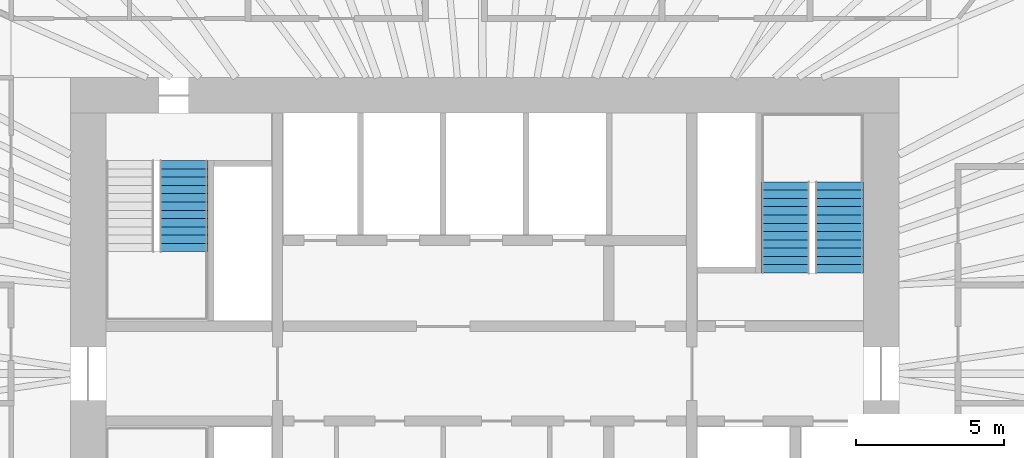
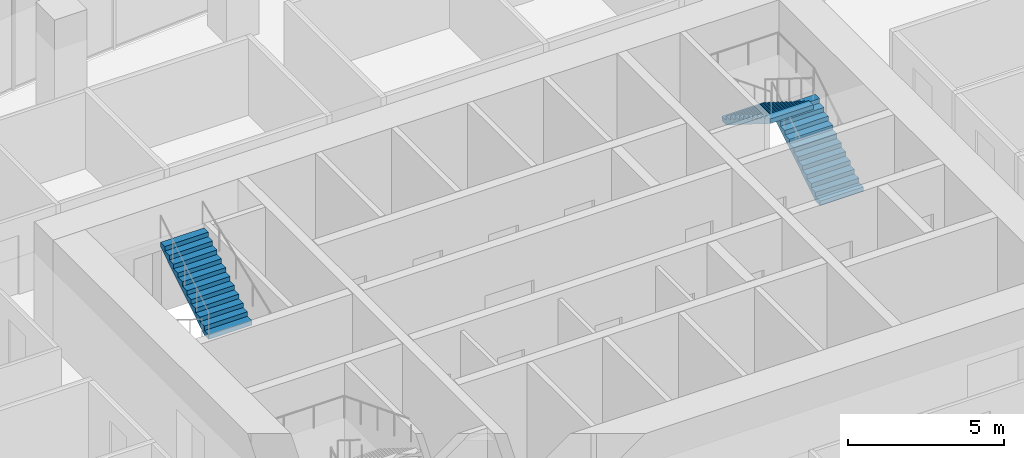
# One storey, part 11 of 12: 3 stair flights, 2 elements without a shape of their own.
"""IFC4 building model written with IfcOpenShell, lengths in metres."""

from ifc_helpers import new_model, si_unit, direction, frame, origin, place, context, subcontext, project, spatial, polyline, outline, extrude, material, type_object, element, aggregate, save


model = new_model("IFC4")

# Units and contexts
model_context = context("Model", 3, precision=1e-05, world=origin(), true_north=direction((0.0, 1.0)))
body_context = subcontext(model_context, "Body", "Model", "MODEL_VIEW")
ifc_project = project(units=[si_unit("LENGTHUNIT", "METRE"), si_unit("AREAUNIT", "SQUARE_METRE"), si_unit("VOLUMEUNIT", "CUBIC_METRE"), si_unit("PLANEANGLEUNIT", "RADIAN"), si_unit("MASSUNIT", "GRAM", prefix="KILO")], contexts=[model_context])

# Site, building, storey
site_placement = place(None, origin())
site = spatial("IfcSite", under=ifc_project, at=site_placement, CompositionType="ELEMENT")
building_placement = place(site_placement, origin())
building = spatial("IfcBuilding", under=site, at=building_placement, Name="Ghaith Harvest Tower", CompositionType="ELEMENT")
storey_placement = place(building_placement, frame((0.0, 0.0, 236.800048828125)))
storey = spatial("IfcBuildingStorey", under=building, at=storey_placement, Name="L52", CompositionType="ELEMENT", Elevation=236.800048828125)

# Stair, stair flight
ifc_material_1 = material(Name="Concrete C40/50, precast", Category="concrete")
stair_type = type_object("IfcStairType", Name="CORE STAIR 24R", PredefinedType="HALF_TURN_STAIR", material=ifc_material_1)
stair_1_placement = place(storey_placement, origin())
stair_1 = element("IfcStair", 1, at=stair_1_placement, inside=storey, type_object=stair_type, Name="Stair ST1 L52", PredefinedType="HALF_TURN_STAIR")
ifc_material_2 = material(Name="Concrete C40/50, precast", Category="concrete")
stair_flight_type = type_object("IfcStairFlightType", Name="CORE FLIGHT 12R 1600", PredefinedType="STRAIGHT", material=ifc_material_2)
stair_flight_1_placement = place(storey_placement, frame((-10.14990234375, 4.1201171875, 2.099853515625), z_axis=(0.0, 0.0, 1.0), x_axis=(0.0, 1.0, 0.0)))
stair_flight_1 = element("IfcStairFlight", 2, at=stair_flight_1_placement, type_object=stair_flight_type, Name="ST1 flight 2", NumberOfRisers=12, NumberOfTreads=11, PredefinedType="STRAIGHT", RiserHeight=0.175, TreadLength=0.28, context=body_context, shape_type="SweptSolid", body=[
    extrude(outline(polyline([(0.0, 0.0), (0.0, 0.175048828125), (0.280029296875, 0.175048828125), (0.280029296875, 0.35009765625), (0.56005859375, 0.35009765625), (0.56005859375, 0.52490234375), (0.840087890625, 0.52490234375), (0.840087890625, 0.699951171875), (1.1201171875, 0.699951171875), (1.1201171875, 0.875), (1.39990234375, 0.875), (1.39990234375, 1.050048828125), (1.679931640625, 1.050048828125), (1.679931640625, 1.22509765625), (1.9599609375, 1.22509765625), (1.9599609375, 1.39990234375), (2.239990234375, 1.39990234375), (2.239990234375, 1.574951171875), (2.52001953125, 1.574951171875), (2.52001953125, 1.75), (2.800048828125, 1.75), (2.800048828125, 1.925048828125), (3.080078125, 1.925048828125), (3.080078125, 2.10009765625), (3.080078125, 1.748291015625), (0.28271484375, 0.0), (0.0, 0.0)])), frame((0.0, 0.800048828125, 0.0), z_axis=(0.0, -1.0, 0.0), x_axis=(1.0, 0.0, 0.0)), (0.0, 0.0, 1.0), 1.60009765625),
])
aggregate(stair_1, [stair_flight_1])

# Stair, stair flights
stair_2_placement = place(storey_placement, origin())
stair_2 = element("IfcStair", 3, at=stair_2_placement, inside=storey, type_object=stair_type, Name="Stair ST2 L52", PredefinedType="HALF_TURN_STAIR")
stair_flight_2_placement = place(storey_placement, frame((12.0, 3.39990234375, 0.0), z_axis=(0.0, 0.0, 1.0), x_axis=(0.0, 1.0, 0.0)))
stair_flight_2 = element("IfcStairFlight", 4, at=stair_flight_2_placement, type_object=stair_flight_type, Name="ST2 flight 1", NumberOfRisers=12, NumberOfTreads=11, PredefinedType="STRAIGHT", RiserHeight=0.175, TreadLength=0.28, context=body_context, shape_type="SweptSolid", body=[
    extrude(outline(polyline([(0.0, 0.0), (0.0, 0.175048828125), (0.280029296875, 0.175048828125), (0.280029296875, 0.35009765625), (0.56005859375, 0.35009765625), (0.56005859375, 0.52490234375), (0.840087890625, 0.52490234375), (0.840087890625, 0.699951171875), (1.1201171875, 0.699951171875), (1.1201171875, 0.875), (1.39990234375, 0.875), (1.39990234375, 1.050048828125), (1.679931640625, 1.050048828125), (1.679931640625, 1.22509765625), (1.9599609375, 1.22509765625), (1.9599609375, 1.39990234375), (2.239990234375, 1.39990234375), (2.239990234375, 1.574951171875), (2.52001953125, 1.574951171875), (2.52001953125, 1.75), (2.800048828125, 1.75), (2.800048828125, 1.925048828125), (3.080078125, 1.925048828125), (3.080078125, 2.10009765625), (3.080078125, 1.748291015625), (0.28271484375, 0.0), (0.0, 0.0)])), frame((0.0, 0.800048828125, 0.0), z_axis=(0.0, -1.0, 0.0), x_axis=(1.0, 0.0, 0.0)), (0.0, 0.0, 1.0), 1.60009765625),
])
stair_flight_3_placement = place(storey_placement, frame((10.14990234375, 6.47998046875, 2.099853515625), z_axis=(0.0, 0.0, 1.0), x_axis=(0.0, -1.0, 0.0)))
stair_flight_3 = element("IfcStairFlight", 5, at=stair_flight_3_placement, type_object=stair_flight_type, Name="ST2 flight 2", NumberOfRisers=12, NumberOfTreads=11, PredefinedType="STRAIGHT", RiserHeight=0.175, TreadLength=0.28, context=body_context, shape_type="SweptSolid", body=[
    extrude(outline(polyline([(0.0, 0.0), (0.0, 0.175048828125), (0.280029296875, 0.175048828125), (0.280029296875, 0.35009765625), (0.56005859375, 0.35009765625), (0.56005859375, 0.52490234375), (0.840087890625, 0.52490234375), (0.840087890625, 0.699951171875), (1.1201171875, 0.699951171875), (1.1201171875, 0.875), (1.39990234375, 0.875), (1.39990234375, 1.050048828125), (1.679931640625, 1.050048828125), (1.679931640625, 1.22509765625), (1.9599609375, 1.22509765625), (1.9599609375, 1.39990234375), (2.239990234375, 1.39990234375), (2.239990234375, 1.574951171875), (2.52001953125, 1.574951171875), (2.52001953125, 1.75), (2.800048828125, 1.75), (2.800048828125, 1.925048828125), (3.080078125, 1.925048828125), (3.080078125, 2.10009765625), (3.080078125, 1.748291015625), (0.28271484375, 0.0), (0.0, 0.0)])), frame((0.0, 0.800048828125, 0.0), z_axis=(0.0, -1.0, 0.0), x_axis=(1.0, 0.0, 0.0)), (0.0, 0.0, 1.0), 1.60009765625),
])
aggregate(stair_2, [stair_flight_2, stair_flight_3])

save(model, "model.ifc")
